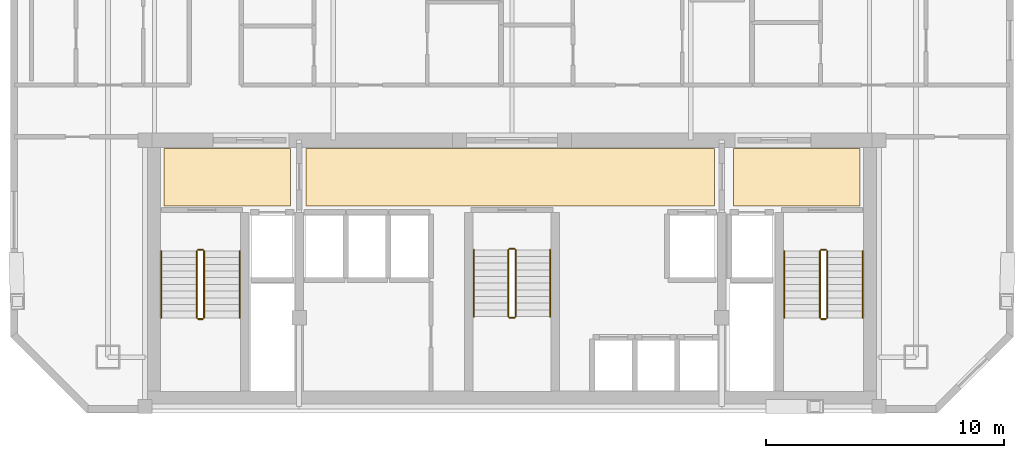
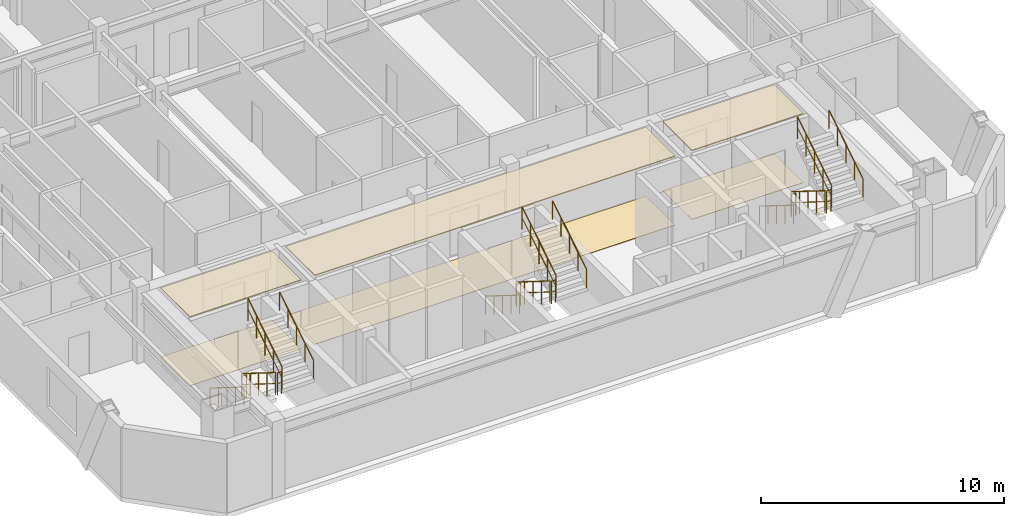
# One storey, part 7 of 7: 18 railings, 6 coverings.
"""IFC4 building model written with IfcOpenShell, lengths in metres."""

import ifcopenshell
import ifcopenshell.guid

model = None  # the IFC model being written
_history = None  # IfcOwnerHistory: only IFC2X3 demands one
_inside = {}  # id of a spatial element -> (the spatial element, [elements in it])
_under = {}  # id of a project, library or spatial element -> (it, [spatial elements below it])
_declared = {}  # id of a project -> (the project, [libraries it declares])
_typed = {}  # id of a type object -> (the type object, [elements of that type])
_made_of = {}  # id of a material, layer set ... -> (it, [elements and type objects made of it])


def new_model(schema):
    """Start an empty IFC model of exactly this schema.

    Asked for "IFC4X3", IfcOpenShell would pick the latest addendum, in which some entities
    have other attributes; the version numbers below select the first issue.
    IFC2X3 requires an IfcOwnerHistory on every rooted entity: one is made here for all.
    """
    global model, _history
    if schema == "IFC4X3":
        model = ifcopenshell.file(schema_version=(4, 3, 0, 0))
    else:
        model = ifcopenshell.file(schema=schema)
    _inside.clear()
    _under.clear()
    _declared.clear()
    _typed.clear()
    _made_of.clear()
    _history = None
    if model.schema == "IFC2X3":
        org = make("IfcOrganization", Name="unknown")
        user = make(
            "IfcPersonAndOrganization",
            ThePerson=make("IfcPerson", FamilyName="unknown"),
            TheOrganization=org,
        )
        app = make(
            "IfcApplication",
            ApplicationDeveloper=org,
            Version="unknown",
            ApplicationFullName="unknown",
            ApplicationIdentifier="unknown",
        )
        _history = make(
            "IfcOwnerHistory",
            OwningUser=user,
            OwningApplication=app,
            ChangeAction="ADDED",
            CreationDate=0,
        )
    return model


def make(cls, **values):
    """One entity of the class cls with the attributes given. An attribute that is None is left unset."""
    return model.create_entity(
        cls, **{name: value for name, value in values.items() if value is not None}
    )


def rooted(cls, **values):
    """An entity with a GlobalId (a new one), such as an element, a storey or a relation."""
    return make(cls, GlobalId=ifcopenshell.guid.new(), OwnerHistory=_history, **values)


def si_unit(unit_type, name, prefix=None):
    """IfcSIUnit, for example si_unit("LENGTHUNIT", "METRE", prefix="MILLI")."""
    return make("IfcSIUnit", UnitType=unit_type, Prefix=prefix, Name=name)


def assignment(units):
    """IfcUnitAssignment: the units of a project."""
    return None if units is None else make("IfcUnitAssignment", Units=units)


def point(xyz):
    """IfcCartesianPoint."""
    return None if xyz is None else make("IfcCartesianPoint", Coordinates=xyz)


def direction(xyz):
    """IfcDirection."""
    return None if xyz is None else make("IfcDirection", DirectionRatios=xyz)


def frame(location, z_axis=None, x_axis=None):
    """IfcAxis2Placement3D, a coordinate frame: its origin and axes. An axis left out is left unset."""
    return make(
        "IfcAxis2Placement3D",
        Location=point(location),
        Axis=direction(z_axis),
        RefDirection=direction(x_axis),
    )


def frame_2d(location, x_axis=None):
    """IfcAxis2Placement2D, a coordinate frame in the plane: its origin and x axis."""
    return make(
        "IfcAxis2Placement2D", Location=point(location), RefDirection=direction(x_axis)
    )


def origin():
    """The frame at (0, 0, 0) with its axes left unset."""
    return frame((0.0, 0.0, 0.0))


def origin_2d():
    """The frame at (0, 0) in the plane with its x axis left unset."""
    return frame_2d((0.0, 0.0))


def place(relative_to, where):
    """IfcLocalPlacement: puts the frame where relative to a parent placement (None: the world)."""
    return make(
        "IfcLocalPlacement", PlacementRelTo=relative_to, RelativePlacement=where
    )


def context(
    kind, dimensions, precision=None, world=None, true_north=None, identifier=None
):
    """IfcGeometricRepresentationContext, for example the 3D "Model" context."""
    return make(
        "IfcGeometricRepresentationContext",
        ContextIdentifier=identifier,
        ContextType=kind,
        CoordinateSpaceDimension=dimensions,
        Precision=precision,
        WorldCoordinateSystem=world,
        TrueNorth=true_north,
    )


def subcontext(parent, identifier, kind, view, scale=None):
    """IfcGeometricRepresentationSubContext, for example "Body" below "Model"."""
    return make(
        "IfcGeometricRepresentationSubContext",
        ContextIdentifier=identifier,
        ContextType=kind,
        ParentContext=parent,
        TargetScale=scale,
        TargetView=view,
    )


def project(units=None, contexts=None):
    """IfcProject with its units and contexts."""
    return rooted(
        "IfcProject",
        Name="project",
        RepresentationContexts=contexts,
        UnitsInContext=assignment(units),
    )


def spatial(cls, under=None, at=None, **own):
    """A site, building, storey or space (cls), placed at a placement, below another one or the project."""
    s = rooted(cls, ObjectPlacement=at, **own)
    if under is not None:
        _under.setdefault(under.id(), (under, []))[1].append(s)
    return s


def polyline(points):
    """IfcPolyline through the points."""
    return make("IfcPolyline", Points=[point(p) for p in points])


def profile(cls, at=None, kind="AREA", **sizes):
    """A parametric profile (cls). Its sizes go by their IFC names, for example OverallWidth=200.0."""
    return make(cls, ProfileType=kind, Position=at, **sizes)


def circle(**sizes):
    """IfcCircleProfileDef."""
    return profile("IfcCircleProfileDef", **sizes)


def outline(outer, holes=None, kind="AREA"):
    """IfcArbitraryClosedProfileDef: a profile drawn as a closed curve; with holes, ...WithVoids."""
    if holes is None:
        return make("IfcArbitraryClosedProfileDef", ProfileType=kind, OuterCurve=outer)
    return make(
        "IfcArbitraryProfileDefWithVoids",
        ProfileType=kind,
        OuterCurve=outer,
        InnerCurves=holes,
    )


def extrude(swept, where, along, depth):
    """IfcExtrudedAreaSolid: the profile swept, set in the frame where, extruded along a direction by depth."""
    return make(
        "IfcExtrudedAreaSolid",
        SweptArea=swept,
        Position=where,
        ExtrudedDirection=direction(along),
        Depth=depth,
    )


def shape(context_of_items, identifier, shape_type, items):
    """IfcShapeRepresentation: the items that make up one representation, for example the "Body"."""
    return make(
        "IfcShapeRepresentation",
        ContextOfItems=context_of_items,
        RepresentationIdentifier=identifier,
        RepresentationType=shape_type,
        Items=items,
    )


def material(Name=None, Category=None):
    """IfcMaterial."""
    return make("IfcMaterial", Name=Name, Category=Category)


def layer(
    of_material, thickness, ventilated=None, Name=None, Category=None, Priority=None
):
    """IfcMaterialLayer: one layer of a wall or slab, of a material (None: an air gap)."""
    return make(
        "IfcMaterialLayer",
        Material=of_material,
        LayerThickness=thickness,
        IsVentilated=ventilated,
        Name=Name,
        Category=Category,
        Priority=Priority,
    )


def layer_set(layers, Name=None):
    """IfcMaterialLayerSet."""
    return make("IfcMaterialLayerSet", MaterialLayers=layers, LayerSetName=Name)


def made_of(thing, what):
    """Note that an element or type object is made of a material, layer set ...; save() writes the relation."""
    if what is not None:
        _made_of.setdefault(what.id(), (what, []))[1].append(thing)
    return thing


def type_object(cls, material=None, **own):
    """A type object (cls), such as IfcWallType, which elements share."""
    return made_of(rooted(cls, **own), material)


def element(
    cls,
    number,
    at=None,
    inside=None,
    cuts=None,
    type_object=None,
    material=None,
    context=None,
    identifier="Body",
    shape_type=None,
    held_by="IfcProductDefinitionShape",
    body=None,
    shapes=None,
    **own,
):
    """One element of the class cls, such as IfcWall. Its Tag is "e" and its number.

    at: its placement. inside: the storey or other place that contains it. cuts: it is an
    opening in that element (IfcRelVoidsElement). A single representation is given by context,
    identifier, shape_type and body (its items); several are given by shapes. held_by: the class
    of the entity that holds the representations. save() writes the other relations.
    """
    e = rooted(cls, Tag="e%d" % number, ObjectPlacement=at, **own)
    if body is not None:
        shapes = [shape(context, identifier, shape_type, body)]
    if shapes is not None:
        e.Representation = make(held_by, Representations=shapes)
    if inside is not None:
        _inside.setdefault(inside.id(), (inside, []))[1].append(e)
    if cuts is not None:
        rooted(
            "IfcRelVoidsElement", RelatingBuildingElement=cuts, RelatedOpeningElement=e
        )
    if type_object is not None:
        _typed.setdefault(type_object.id(), (type_object, []))[1].append(e)
    return made_of(e, material)


def aggregate(whole, parts):
    """IfcRelAggregates: a whole, such as a stair, and the parts it consists of."""
    return rooted("IfcRelAggregates", RelatingObject=whole, RelatedObjects=parts)


def save(model, path):
    """Write the relations noted so far, then the file.

    IfcRelAggregates (storeys below a building ...), IfcRelContainedInSpatialStructure (elements
    in a storey), IfcRelDefinesByType, IfcRelAssociatesMaterial and IfcRelDeclares: one each for
    every whole, place, type object, material and project.
    """
    for whole, parts in _under.values():
        aggregate(whole, parts)
    for where, things in _inside.values():
        rooted(
            "IfcRelContainedInSpatialStructure",
            RelatedElements=things,
            RelatingStructure=where,
        )
    for kind, things in _typed.values():
        rooted("IfcRelDefinesByType", RelatedObjects=things, RelatingType=kind)
    for what, things in _made_of.values():
        rooted("IfcRelAssociatesMaterial", RelatedObjects=things, RelatingMaterial=what)
    for by, libraries in _declared.values():
        rooted("IfcRelDeclares", RelatingContext=by, RelatedDefinitions=libraries)
    model.write(path)


model = new_model("IFC4")

# Units and contexts
model_context = context("Model", 3, precision=1e-05, world=origin(), true_north=direction((0.0, 1.0)))
body_context = subcontext(model_context, "Body", "Model", "MODEL_VIEW")
ifc_project = project(units=[si_unit("LENGTHUNIT", "METRE"), si_unit("AREAUNIT", "SQUARE_METRE"), si_unit("VOLUMEUNIT", "CUBIC_METRE"), si_unit("PLANEANGLEUNIT", "RADIAN"), si_unit("MASSUNIT", "GRAM", prefix="KILO")], contexts=[model_context])

# Site, building, storey
site_placement = place(None, origin())
site = spatial("IfcSite", under=ifc_project, at=site_placement, CompositionType="ELEMENT")
building_placement = place(site_placement, origin())
building = spatial("IfcBuilding", under=site, at=building_placement, Name="Ventersveld Concourse Tower", CompositionType="ELEMENT")
storey_placement = place(building_placement, frame((0.0, 0.0, 242.64990234375)))
storey = spatial("IfcBuildingStorey", under=building, at=storey_placement, Name="L60", CompositionType="ELEMENT", Elevation=242.64990234375)

# Coverings
ifc_material_1 = material(Name="Mineral-fibre acoustic ceiling tile", Category="gypsum")
ifc_layer_1 = layer(ifc_material_1, 0.0400390625)
ifc_layer_set_1 = layer_set([ifc_layer_1], Name="Mineral-fibre acoustic ceiling tile")
covering_type_1 = type_object("IfcCoveringType", Name="COV-CEIL-ACOUSTIC", PredefinedType="CEILING", material=ifc_layer_set_1)
covering_1_placement = place(storey_placement, frame((0.0, 0.0, 3.460205078125)))
element("IfcCovering", 1, at=covering_1_placement, inside=storey, type_object=covering_type_1, Name="L60 North Lift Lobby Acoustic Ceiling", PredefinedType="CEILING", context=body_context, shape_type="SweptSolid", body=[
    extrude(outline(polyline([(20.10009765625, 8.699951171875), (37.25, 8.699951171875), (37.25, 11.10009765625), (20.10009765625, 11.10009765625), (20.10009765625, 8.699951171875)])), origin(), (0.0, 0.0, 1.0), 0.039794921875),
])
covering_2_placement = place(storey_placement, frame((0.0, 0.0, 3.460205078125)))
element("IfcCovering", 2, at=covering_2_placement, inside=storey, type_object=covering_type_1, Name="L60 West Firefighting Lobby Acoustic Ceiling", PredefinedType="CEILING", context=body_context, shape_type="SweptSolid", body=[
    extrude(outline(polyline([(14.14990234375, 8.699951171875), (19.449951171875, 8.699951171875), (19.449951171875, 11.10009765625), (14.14990234375, 11.10009765625), (14.14990234375, 8.699951171875)])), origin(), (0.0, 0.0, 1.0), 0.039794921875),
])
covering_3_placement = place(storey_placement, frame((0.0, 0.0, 3.460205078125)))
element("IfcCovering", 3, at=covering_3_placement, inside=storey, type_object=covering_type_1, Name="L60 East Firefighting Lobby Acoustic Ceiling", PredefinedType="CEILING", context=body_context, shape_type="SweptSolid", body=[
    extrude(outline(polyline([(38.050048828125, 8.699951171875), (43.35009765625, 8.699951171875), (43.35009765625, 11.10009765625), (38.050048828125, 11.10009765625), (38.050048828125, 8.699951171875)])), origin(), (0.0, 0.0, 1.0), 0.039794921875),
])
ifc_material_2 = material(Name="Polished Highveld granite terrazzo", Category="masonry")
ifc_layer_2 = layer(ifc_material_2, 0.02001953125)
ifc_layer_set_2 = layer_set([ifc_layer_2], Name="Polished Highveld granite terrazzo")
covering_type_2 = type_object("IfcCoveringType", Name="COV-FLOOR-TERRAZZO", PredefinedType="FLOORING", material=ifc_layer_set_2)
covering_4_placement = place(storey_placement, origin())
element("IfcCovering", 4, at=covering_4_placement, inside=storey, type_object=covering_type_2, Name="L60 North Lift Lobby Terrazzo Flooring", PredefinedType="FLOORING", context=body_context, shape_type="SweptSolid", body=[
    extrude(outline(polyline([(20.10009765625, 8.699951171875), (37.25, 8.699951171875), (37.25, 11.10009765625), (20.10009765625, 11.10009765625), (20.10009765625, 8.699951171875)])), origin(), (0.0, 0.0, 1.0), 0.02001953125),
])
covering_5_placement = place(storey_placement, origin())
element("IfcCovering", 5, at=covering_5_placement, inside=storey, type_object=covering_type_2, Name="L60 West Firefighting Lobby Terrazzo Flooring", PredefinedType="FLOORING", context=body_context, shape_type="SweptSolid", body=[
    extrude(outline(polyline([(14.14990234375, 8.699951171875), (19.449951171875, 8.699951171875), (19.449951171875, 11.10009765625), (14.14990234375, 11.10009765625), (14.14990234375, 8.699951171875)])), origin(), (0.0, 0.0, 1.0), 0.02001953125),
])
covering_6_placement = place(storey_placement, origin())
element("IfcCovering", 6, at=covering_6_placement, inside=storey, type_object=covering_type_2, Name="L60 East Firefighting Lobby Terrazzo Flooring", PredefinedType="FLOORING", context=body_context, shape_type="SweptSolid", body=[
    extrude(outline(polyline([(38.050048828125, 8.699951171875), (43.35009765625, 8.699951171875), (43.35009765625, 11.10009765625), (38.050048828125, 11.10009765625), (38.050048828125, 8.699951171875)])), origin(), (0.0, 0.0, 1.0), 0.02001953125),
])

# Railings
ifc_material_3 = material(Name="Brushed stainless steel 316", Category="steel")
railing_type_1 = type_object("IfcRailingType", Name="GD-BAL-115", PredefinedType="GUARDRAIL", material=ifc_material_3)
railing_1_placement = place(storey_placement, frame((15.530029296875, 6.800048828125, 0.175048828125)))
element("IfcRailing", 7, at=railing_1_placement, inside=storey, type_object=railing_type_1, Name="L60 ST-01 stair guard 1", PredefinedType="GUARDRAIL", context=body_context, shape_type="SweptSolid", body=[
    extrude(circle(Radius=0.02392578125, at=origin_2d()), frame((0.0, 0.0, 1.1259765625), z_axis=(0.0, -0.848002457836, 0.529992293815), x_axis=(1.0, 0.0, 0.0)), (0.0, 0.0, 1.0), 3.302001953125),
    extrude(circle(Radius=0.01611328125, at=origin_2d()), frame((0.0, 0.0, 0.574951171875), z_axis=(0.0, -0.848002457836, 0.529992293815), x_axis=(1.0, 0.0, 0.0)), (0.0, 0.0, 1.0), 3.302001953125),
    extrude(circle(Radius=0.02099609375, at=origin_2d()), origin(), (0.0, 0.0, 1.0), 1.101806640625),
    extrude(circle(Radius=0.02099609375, at=origin_2d()), frame((0.0, -0.699951171875, 0.4375)), (0.0, 0.0, 1.0), 1.101806640625),
    extrude(circle(Radius=0.02099609375, at=origin_2d()), frame((0.0, -1.39990234375, 0.875)), (0.0, 0.0, 1.0), 1.101806640625),
    extrude(circle(Radius=0.02099609375, at=origin_2d()), frame((0.0, -2.10009765625, 1.3125)), (0.0, 0.0, 1.0), 1.101806640625),
    extrude(circle(Radius=0.02099609375, at=origin_2d()), frame((0.0, -2.800048828125, 1.75)), (0.0, 0.0, 1.0), 1.101806640625),
])
railing_2_placement = place(storey_placement, frame((15.580078125, 3.949951171875, 1.925048828125)))
element("IfcRailing", 8, at=railing_2_placement, inside=storey, type_object=railing_type_1, Name="L60 ST-01 stair guard 2", PredefinedType="GUARDRAIL", context=body_context, shape_type="SweptSolid", body=[
    extrude(circle(Radius=0.02392578125, at=origin_2d()), frame((0.0, 0.0, 1.1259765625), z_axis=(1.0, 0.0, 0.0), x_axis=(0.0, 1.0, 0.0)), (0.0, 0.0, 1.0), 0.199951171875),
    extrude(circle(Radius=0.01611328125, at=origin_2d()), frame((0.0, 0.0, 0.574951171875), z_axis=(1.0, 0.0, 0.0), x_axis=(0.0, 1.0, 0.0)), (0.0, 0.0, 1.0), 0.199951171875),
    extrude(circle(Radius=0.02099609375, at=origin_2d()), origin(), (0.0, 0.0, 1.0), 1.101806640625),
    extrude(circle(Radius=0.02099609375, at=origin_2d()), frame((0.199951171875, 0.0, 0.0)), (0.0, 0.0, 1.0), 1.101806640625),
])
railing_3_placement = place(storey_placement, frame((15.830078125, 4.0, 2.10009765625)))
element("IfcRailing", 9, at=railing_3_placement, inside=storey, type_object=railing_type_1, Name="L60 ST-01 stair guard 3", PredefinedType="GUARDRAIL", context=body_context, shape_type="SweptSolid", body=[
    extrude(circle(Radius=0.02392578125, at=origin_2d()), frame((0.0, 0.0, 1.1259765625), z_axis=(0.0, 0.848002457836, 0.529992293815), x_axis=(-1.0, 0.0, 0.0)), (0.0, 0.0, 1.0), 3.302001953125),
    extrude(circle(Radius=0.01611328125, at=origin_2d()), frame((0.0, 0.0, 0.574951171875), z_axis=(0.0, 0.848002457836, 0.529992293815), x_axis=(-1.0, 0.0, 0.0)), (0.0, 0.0, 1.0), 3.302001953125),
    extrude(circle(Radius=0.02099609375, at=origin_2d()), origin(), (0.0, 0.0, 1.0), 1.101806640625),
    extrude(circle(Radius=0.02099609375, at=origin_2d()), frame((0.0, 0.699951171875, 0.4375)), (0.0, 0.0, 1.0), 1.101806640625),
    extrude(circle(Radius=0.02099609375, at=origin_2d()), frame((0.0, 1.39990234375, 0.875)), (0.0, 0.0, 1.0), 1.101806640625),
    extrude(circle(Radius=0.02099609375, at=origin_2d()), frame((0.0, 2.10009765625, 1.3125)), (0.0, 0.0, 1.0), 1.101806640625),
    extrude(circle(Radius=0.02099609375, at=origin_2d()), frame((0.0, 2.800048828125, 1.75)), (0.0, 0.0, 1.0), 1.101806640625),
])
railing_4_placement = place(storey_placement, frame((15.580078125, 6.85009765625, 0.0)))
element("IfcRailing", 10, at=railing_4_placement, inside=storey, type_object=railing_type_1, Name="L60 ST-01 stair guard 4", PredefinedType="GUARDRAIL", context=body_context, shape_type="SweptSolid", body=[
    extrude(circle(Radius=0.02392578125, at=origin_2d()), frame((0.0, 0.0, 1.1259765625), z_axis=(1.0, 0.0, 0.0), x_axis=(0.0, 1.0, 0.0)), (0.0, 0.0, 1.0), 0.199951171875),
    extrude(circle(Radius=0.01611328125, at=origin_2d()), frame((0.0, 0.0, 0.574951171875), z_axis=(1.0, 0.0, 0.0), x_axis=(0.0, 1.0, 0.0)), (0.0, 0.0, 1.0), 0.199951171875),
    extrude(circle(Radius=0.02099609375, at=origin_2d()), origin(), (0.0, 0.0, 1.0), 1.101806640625),
    extrude(circle(Radius=0.02099609375, at=origin_2d()), frame((0.199951171875, 0.0, 0.0)), (0.0, 0.0, 1.0), 1.101806640625),
])
railing_5_placement = place(storey_placement, frame((41.669921875, 6.800048828125, 0.175048828125)))
element("IfcRailing", 11, at=railing_5_placement, inside=storey, type_object=railing_type_1, Name="L60 ST-02 stair guard 1", PredefinedType="GUARDRAIL", context=body_context, shape_type="SweptSolid", body=[
    extrude(circle(Radius=0.02392578125, at=origin_2d()), frame((0.0, 0.0, 1.1259765625), z_axis=(0.0, -0.848002457836, 0.529992293815), x_axis=(1.0, 0.0, 0.0)), (0.0, 0.0, 1.0), 3.302001953125),
    extrude(circle(Radius=0.01611328125, at=origin_2d()), frame((0.0, 0.0, 0.574951171875), z_axis=(0.0, -0.848002457836, 0.529992293815), x_axis=(1.0, 0.0, 0.0)), (0.0, 0.0, 1.0), 3.302001953125),
    extrude(circle(Radius=0.02099609375, at=origin_2d()), origin(), (0.0, 0.0, 1.0), 1.101806640625),
    extrude(circle(Radius=0.02099609375, at=origin_2d()), frame((0.0, -0.699951171875, 0.4375)), (0.0, 0.0, 1.0), 1.101806640625),
    extrude(circle(Radius=0.02099609375, at=origin_2d()), frame((0.0, -1.39990234375, 0.875)), (0.0, 0.0, 1.0), 1.101806640625),
    extrude(circle(Radius=0.02099609375, at=origin_2d()), frame((0.0, -2.10009765625, 1.3125)), (0.0, 0.0, 1.0), 1.101806640625),
    extrude(circle(Radius=0.02099609375, at=origin_2d()), frame((0.0, -2.800048828125, 1.75)), (0.0, 0.0, 1.0), 1.101806640625),
])
railing_6_placement = place(storey_placement, frame((41.719970703125, 3.949951171875, 1.925048828125)))
element("IfcRailing", 12, at=railing_6_placement, inside=storey, type_object=railing_type_1, Name="L60 ST-02 stair guard 2", PredefinedType="GUARDRAIL", context=body_context, shape_type="SweptSolid", body=[
    extrude(circle(Radius=0.02392578125, at=origin_2d()), frame((0.0, 0.0, 1.1259765625), z_axis=(1.0, 0.0, 0.0), x_axis=(0.0, 1.0, 0.0)), (0.0, 0.0, 1.0), 0.199951171875),
    extrude(circle(Radius=0.01611328125, at=origin_2d()), frame((0.0, 0.0, 0.574951171875), z_axis=(1.0, 0.0, 0.0), x_axis=(0.0, 1.0, 0.0)), (0.0, 0.0, 1.0), 0.199951171875),
    extrude(circle(Radius=0.02099609375, at=origin_2d()), origin(), (0.0, 0.0, 1.0), 1.101806640625),
    extrude(circle(Radius=0.02099609375, at=origin_2d()), frame((0.199951171875, 0.0, 0.0)), (0.0, 0.0, 1.0), 1.101806640625),
])
railing_7_placement = place(storey_placement, frame((41.969970703125, 4.0, 2.10009765625)))
element("IfcRailing", 13, at=railing_7_placement, inside=storey, type_object=railing_type_1, Name="L60 ST-02 stair guard 3", PredefinedType="GUARDRAIL", context=body_context, shape_type="SweptSolid", body=[
    extrude(circle(Radius=0.02392578125, at=origin_2d()), frame((0.0, 0.0, 1.1259765625), z_axis=(0.0, 0.848002457836, 0.529992293815), x_axis=(-1.0, 0.0, 0.0)), (0.0, 0.0, 1.0), 3.302001953125),
    extrude(circle(Radius=0.01611328125, at=origin_2d()), frame((0.0, 0.0, 0.574951171875), z_axis=(0.0, 0.848002457836, 0.529992293815), x_axis=(-1.0, 0.0, 0.0)), (0.0, 0.0, 1.0), 3.302001953125),
    extrude(circle(Radius=0.02099609375, at=origin_2d()), origin(), (0.0, 0.0, 1.0), 1.101806640625),
    extrude(circle(Radius=0.02099609375, at=origin_2d()), frame((0.0, 0.699951171875, 0.4375)), (0.0, 0.0, 1.0), 1.101806640625),
    extrude(circle(Radius=0.02099609375, at=origin_2d()), frame((0.0, 1.39990234375, 0.875)), (0.0, 0.0, 1.0), 1.101806640625),
    extrude(circle(Radius=0.02099609375, at=origin_2d()), frame((0.0, 2.10009765625, 1.3125)), (0.0, 0.0, 1.0), 1.101806640625),
    extrude(circle(Radius=0.02099609375, at=origin_2d()), frame((0.0, 2.800048828125, 1.75)), (0.0, 0.0, 1.0), 1.101806640625),
])
railing_8_placement = place(storey_placement, frame((41.719970703125, 6.85009765625, 0.0)))
element("IfcRailing", 14, at=railing_8_placement, inside=storey, type_object=railing_type_1, Name="L60 ST-02 stair guard 4", PredefinedType="GUARDRAIL", context=body_context, shape_type="SweptSolid", body=[
    extrude(circle(Radius=0.02392578125, at=origin_2d()), frame((0.0, 0.0, 1.1259765625), z_axis=(1.0, 0.0, 0.0), x_axis=(0.0, 1.0, 0.0)), (0.0, 0.0, 1.0), 0.199951171875),
    extrude(circle(Radius=0.01611328125, at=origin_2d()), frame((0.0, 0.0, 0.574951171875), z_axis=(1.0, 0.0, 0.0), x_axis=(0.0, 1.0, 0.0)), (0.0, 0.0, 1.0), 0.199951171875),
    extrude(circle(Radius=0.02099609375, at=origin_2d()), origin(), (0.0, 0.0, 1.0), 1.101806640625),
    extrude(circle(Radius=0.02099609375, at=origin_2d()), frame((0.199951171875, 0.0, 0.0)), (0.0, 0.0, 1.0), 1.101806640625),
])
railing_9_placement = place(storey_placement, frame((28.60009765625, 6.85009765625, 0.175048828125)))
element("IfcRailing", 15, at=railing_9_placement, inside=storey, type_object=railing_type_1, Name="L60 ST-03 stair guard 1", PredefinedType="GUARDRAIL", context=body_context, shape_type="SweptSolid", body=[
    extrude(circle(Radius=0.02392578125, at=origin_2d()), frame((0.0, 0.0, 1.1259765625), z_axis=(0.0, -0.848002457836, 0.529992293815), x_axis=(1.0, 0.0, 0.0)), (0.0, 0.0, 1.0), 3.302001953125),
    extrude(circle(Radius=0.01611328125, at=origin_2d()), frame((0.0, 0.0, 0.574951171875), z_axis=(0.0, -0.848002457836, 0.529992293815), x_axis=(1.0, 0.0, 0.0)), (0.0, 0.0, 1.0), 3.302001953125),
    extrude(circle(Radius=0.02099609375, at=origin_2d()), origin(), (0.0, 0.0, 1.0), 1.101806640625),
    extrude(circle(Radius=0.02099609375, at=origin_2d()), frame((0.0, -0.699951171875, 0.4375)), (0.0, 0.0, 1.0), 1.101806640625),
    extrude(circle(Radius=0.02099609375, at=origin_2d()), frame((0.0, -1.39990234375, 0.875)), (0.0, 0.0, 1.0), 1.101806640625),
    extrude(circle(Radius=0.02099609375, at=origin_2d()), frame((0.0, -2.10009765625, 1.3125)), (0.0, 0.0, 1.0), 1.101806640625),
    extrude(circle(Radius=0.02099609375, at=origin_2d()), frame((0.0, -2.800048828125, 1.75)), (0.0, 0.0, 1.0), 1.101806640625),
])
railing_10_placement = place(storey_placement, frame((28.64990234375, 4.0, 1.925048828125)))
element("IfcRailing", 16, at=railing_10_placement, inside=storey, type_object=railing_type_1, Name="L60 ST-03 stair guard 2", PredefinedType="GUARDRAIL", context=body_context, shape_type="SweptSolid", body=[
    extrude(circle(Radius=0.02392578125, at=origin_2d()), frame((0.0, 0.0, 1.1259765625), z_axis=(1.0, 0.0, 0.0), x_axis=(0.0, 1.0, 0.0)), (0.0, 0.0, 1.0), 0.2001953125),
    extrude(circle(Radius=0.01611328125, at=origin_2d()), frame((0.0, 0.0, 0.574951171875), z_axis=(1.0, 0.0, 0.0), x_axis=(0.0, 1.0, 0.0)), (0.0, 0.0, 1.0), 0.2001953125),
    extrude(circle(Radius=0.02099609375, at=origin_2d()), origin(), (0.0, 0.0, 1.0), 1.101806640625),
    extrude(circle(Radius=0.02099609375, at=origin_2d()), frame((0.2001953125, 0.0, 0.0)), (0.0, 0.0, 1.0), 1.101806640625),
])
railing_11_placement = place(storey_placement, frame((28.89990234375, 4.050048828125, 2.10009765625)))
element("IfcRailing", 17, at=railing_11_placement, inside=storey, type_object=railing_type_1, Name="L60 ST-03 stair guard 3", PredefinedType="GUARDRAIL", context=body_context, shape_type="SweptSolid", body=[
    extrude(circle(Radius=0.02392578125, at=origin_2d()), frame((0.0, 0.0, 1.1259765625), z_axis=(0.0, 0.848002457836, 0.529992293815), x_axis=(-1.0, 0.0, 0.0)), (0.0, 0.0, 1.0), 3.302001953125),
    extrude(circle(Radius=0.01611328125, at=origin_2d()), frame((0.0, 0.0, 0.574951171875), z_axis=(0.0, 0.848002457836, 0.529992293815), x_axis=(-1.0, 0.0, 0.0)), (0.0, 0.0, 1.0), 3.302001953125),
    extrude(circle(Radius=0.02099609375, at=origin_2d()), origin(), (0.0, 0.0, 1.0), 1.101806640625),
    extrude(circle(Radius=0.02099609375, at=origin_2d()), frame((0.0, 0.699951171875, 0.4375)), (0.0, 0.0, 1.0), 1.101806640625),
    extrude(circle(Radius=0.02099609375, at=origin_2d()), frame((0.0, 1.39990234375, 0.875)), (0.0, 0.0, 1.0), 1.101806640625),
    extrude(circle(Radius=0.02099609375, at=origin_2d()), frame((0.0, 2.10009765625, 1.3125)), (0.0, 0.0, 1.0), 1.101806640625),
    extrude(circle(Radius=0.02099609375, at=origin_2d()), frame((0.0, 2.800048828125, 1.75)), (0.0, 0.0, 1.0), 1.101806640625),
])
railing_12_placement = place(storey_placement, frame((28.64990234375, 6.89990234375, 0.0)))
element("IfcRailing", 18, at=railing_12_placement, inside=storey, type_object=railing_type_1, Name="L60 ST-03 stair guard 4", PredefinedType="GUARDRAIL", context=body_context, shape_type="SweptSolid", body=[
    extrude(circle(Radius=0.02392578125, at=origin_2d()), frame((0.0, 0.0, 1.1259765625), z_axis=(1.0, 0.0, 0.0), x_axis=(0.0, 1.0, 0.0)), (0.0, 0.0, 1.0), 0.2001953125),
    extrude(circle(Radius=0.01611328125, at=origin_2d()), frame((0.0, 0.0, 0.574951171875), z_axis=(1.0, 0.0, 0.0), x_axis=(0.0, 1.0, 0.0)), (0.0, 0.0, 1.0), 0.2001953125),
    extrude(circle(Radius=0.02099609375, at=origin_2d()), origin(), (0.0, 0.0, 1.0), 1.101806640625),
    extrude(circle(Radius=0.02099609375, at=origin_2d()), frame((0.2001953125, 0.0, 0.0)), (0.0, 0.0, 1.0), 1.101806640625),
])
railing_type_2 = type_object("IfcRailingType", Name="HR-RMP-095", PredefinedType="HANDRAIL", material=ifc_material_3)
railing_13_placement = place(storey_placement, frame((14.030029296875, 6.800048828125, 0.175048828125)))
element("IfcRailing", 19, at=railing_13_placement, inside=storey, type_object=railing_type_2, Name="L60 ST-01 stair handrail 1", PredefinedType="HANDRAIL", context=body_context, shape_type="SweptSolid", body=[
    extrude(circle(Radius=0.02392578125, at=origin_2d()), frame((0.0, 0.0, 0.92578125), z_axis=(0.0, -0.848002457836, 0.529992293815), x_axis=(1.0, 0.0, 0.0)), (0.0, 0.0, 1.0), 3.302001953125),
    extrude(circle(Radius=0.02099609375, at=origin_2d()), origin(), (0.0, 0.0, 1.0), 0.90185546875),
    extrude(circle(Radius=0.02099609375, at=origin_2d()), frame((0.0, -0.699951171875, 0.4375)), (0.0, 0.0, 1.0), 0.90185546875),
    extrude(circle(Radius=0.02099609375, at=origin_2d()), frame((0.0, -1.39990234375, 0.875)), (0.0, 0.0, 1.0), 0.90185546875),
    extrude(circle(Radius=0.02099609375, at=origin_2d()), frame((0.0, -2.10009765625, 1.3125)), (0.0, 0.0, 1.0), 0.90185546875),
    extrude(circle(Radius=0.02099609375, at=origin_2d()), frame((0.0, -2.800048828125, 1.75)), (0.0, 0.0, 1.0), 0.90185546875),
])
railing_14_placement = place(storey_placement, frame((17.330078125, 4.0, 2.10009765625)))
element("IfcRailing", 20, at=railing_14_placement, inside=storey, type_object=railing_type_2, Name="L60 ST-01 stair handrail 2", PredefinedType="HANDRAIL", context=body_context, shape_type="SweptSolid", body=[
    extrude(circle(Radius=0.02392578125, at=origin_2d()), frame((0.0, 0.0, 0.92578125), z_axis=(0.0, 0.848002457836, 0.529992293815), x_axis=(-1.0, 0.0, 0.0)), (0.0, 0.0, 1.0), 3.302001953125),
    extrude(circle(Radius=0.02099609375, at=origin_2d()), origin(), (0.0, 0.0, 1.0), 0.90185546875),
    extrude(circle(Radius=0.02099609375, at=origin_2d()), frame((0.0, 0.699951171875, 0.4375)), (0.0, 0.0, 1.0), 0.90185546875),
    extrude(circle(Radius=0.02099609375, at=origin_2d()), frame((0.0, 1.39990234375, 0.875)), (0.0, 0.0, 1.0), 0.90185546875),
    extrude(circle(Radius=0.02099609375, at=origin_2d()), frame((0.0, 2.10009765625, 1.3125)), (0.0, 0.0, 1.0), 0.90185546875),
    extrude(circle(Radius=0.02099609375, at=origin_2d()), frame((0.0, 2.800048828125, 1.75)), (0.0, 0.0, 1.0), 0.90185546875),
])
railing_15_placement = place(storey_placement, frame((40.169921875, 6.800048828125, 0.175048828125)))
element("IfcRailing", 21, at=railing_15_placement, inside=storey, type_object=railing_type_2, Name="L60 ST-02 stair handrail 1", PredefinedType="HANDRAIL", context=body_context, shape_type="SweptSolid", body=[
    extrude(circle(Radius=0.02392578125, at=origin_2d()), frame((0.0, 0.0, 0.92578125), z_axis=(0.0, -0.848002457836, 0.529992293815), x_axis=(1.0, 0.0, 0.0)), (0.0, 0.0, 1.0), 3.302001953125),
    extrude(circle(Radius=0.02099609375, at=origin_2d()), origin(), (0.0, 0.0, 1.0), 0.90185546875),
    extrude(circle(Radius=0.02099609375, at=origin_2d()), frame((0.0, -0.699951171875, 0.4375)), (0.0, 0.0, 1.0), 0.90185546875),
    extrude(circle(Radius=0.02099609375, at=origin_2d()), frame((0.0, -1.39990234375, 0.875)), (0.0, 0.0, 1.0), 0.90185546875),
    extrude(circle(Radius=0.02099609375, at=origin_2d()), frame((0.0, -2.10009765625, 1.3125)), (0.0, 0.0, 1.0), 0.90185546875),
    extrude(circle(Radius=0.02099609375, at=origin_2d()), frame((0.0, -2.800048828125, 1.75)), (0.0, 0.0, 1.0), 0.90185546875),
])
railing_16_placement = place(storey_placement, frame((43.469970703125, 4.0, 2.10009765625)))
element("IfcRailing", 22, at=railing_16_placement, inside=storey, type_object=railing_type_2, Name="L60 ST-02 stair handrail 2", PredefinedType="HANDRAIL", context=body_context, shape_type="SweptSolid", body=[
    extrude(circle(Radius=0.02392578125, at=origin_2d()), frame((0.0, 0.0, 0.92578125), z_axis=(0.0, 0.848002457836, 0.529992293815), x_axis=(-1.0, 0.0, 0.0)), (0.0, 0.0, 1.0), 3.302001953125),
    extrude(circle(Radius=0.02099609375, at=origin_2d()), origin(), (0.0, 0.0, 1.0), 0.90185546875),
    extrude(circle(Radius=0.02099609375, at=origin_2d()), frame((0.0, 0.699951171875, 0.4375)), (0.0, 0.0, 1.0), 0.90185546875),
    extrude(circle(Radius=0.02099609375, at=origin_2d()), frame((0.0, 1.39990234375, 0.875)), (0.0, 0.0, 1.0), 0.90185546875),
    extrude(circle(Radius=0.02099609375, at=origin_2d()), frame((0.0, 2.10009765625, 1.3125)), (0.0, 0.0, 1.0), 0.90185546875),
    extrude(circle(Radius=0.02099609375, at=origin_2d()), frame((0.0, 2.800048828125, 1.75)), (0.0, 0.0, 1.0), 0.90185546875),
])
railing_17_placement = place(storey_placement, frame((27.14990234375, 6.85009765625, 0.175048828125)))
element("IfcRailing", 23, at=railing_17_placement, inside=storey, type_object=railing_type_2, Name="L60 ST-03 stair handrail 1", PredefinedType="HANDRAIL", context=body_context, shape_type="SweptSolid", body=[
    extrude(circle(Radius=0.02392578125, at=origin_2d()), frame((0.0, 0.0, 0.92578125), z_axis=(0.0, -0.848002457836, 0.529992293815), x_axis=(1.0, 0.0, 0.0)), (0.0, 0.0, 1.0), 3.302001953125),
    extrude(circle(Radius=0.02099609375, at=origin_2d()), origin(), (0.0, 0.0, 1.0), 0.90185546875),
    extrude(circle(Radius=0.02099609375, at=origin_2d()), frame((0.0, -0.699951171875, 0.4375)), (0.0, 0.0, 1.0), 0.90185546875),
    extrude(circle(Radius=0.02099609375, at=origin_2d()), frame((0.0, -1.39990234375, 0.875)), (0.0, 0.0, 1.0), 0.90185546875),
    extrude(circle(Radius=0.02099609375, at=origin_2d()), frame((0.0, -2.10009765625, 1.3125)), (0.0, 0.0, 1.0), 0.90185546875),
    extrude(circle(Radius=0.02099609375, at=origin_2d()), frame((0.0, -2.800048828125, 1.75)), (0.0, 0.0, 1.0), 0.90185546875),
])
railing_18_placement = place(storey_placement, frame((30.35009765625, 4.050048828125, 2.10009765625)))
element("IfcRailing", 24, at=railing_18_placement, inside=storey, type_object=railing_type_2, Name="L60 ST-03 stair handrail 2", PredefinedType="HANDRAIL", context=body_context, shape_type="SweptSolid", body=[
    extrude(circle(Radius=0.02392578125, at=origin_2d()), frame((0.0, 0.0, 0.92578125), z_axis=(0.0, 0.848002457836, 0.529992293815), x_axis=(-1.0, 0.0, 0.0)), (0.0, 0.0, 1.0), 3.302001953125),
    extrude(circle(Radius=0.02099609375, at=origin_2d()), origin(), (0.0, 0.0, 1.0), 0.90185546875),
    extrude(circle(Radius=0.02099609375, at=origin_2d()), frame((0.0, 0.699951171875, 0.4375)), (0.0, 0.0, 1.0), 0.90185546875),
    extrude(circle(Radius=0.02099609375, at=origin_2d()), frame((0.0, 1.39990234375, 0.875)), (0.0, 0.0, 1.0), 0.90185546875),
    extrude(circle(Radius=0.02099609375, at=origin_2d()), frame((0.0, 2.10009765625, 1.3125)), (0.0, 0.0, 1.0), 0.90185546875),
    extrude(circle(Radius=0.02099609375, at=origin_2d()), frame((0.0, 2.800048828125, 1.75)), (0.0, 0.0, 1.0), 0.90185546875),
])

save(model, "model.ifc")
